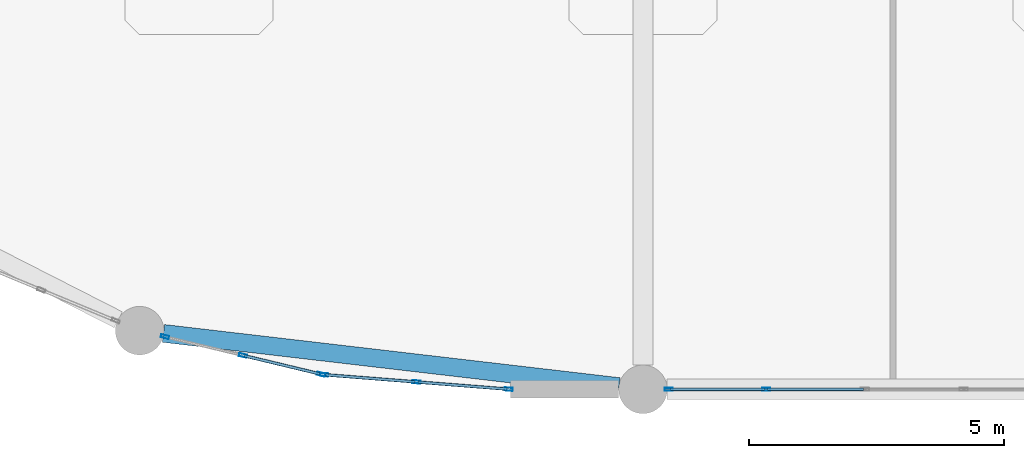
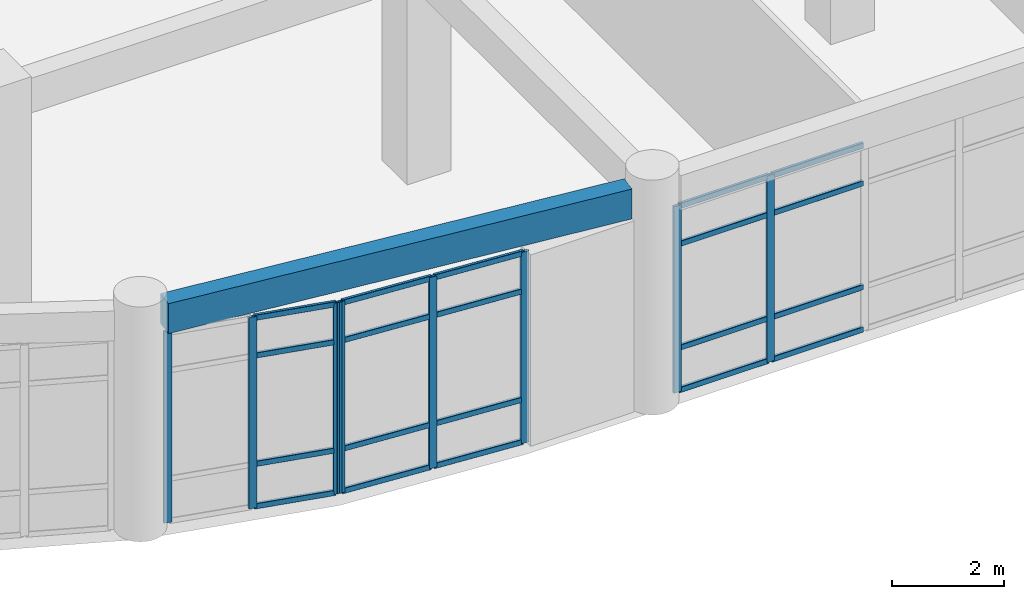
# One storey, part 5 of 120: 28 members, 1 beam, 3 elements without a shape of their own.
"""IFC4 building model written with IfcOpenShell, lengths in metres."""

import ifcopenshell
import ifcopenshell.guid

model = None  # the IFC model being written
_history = None  # IfcOwnerHistory: only IFC2X3 demands one
_inside = {}  # id of a spatial element -> (the spatial element, [elements in it])
_under = {}  # id of a project, library or spatial element -> (it, [spatial elements below it])
_declared = {}  # id of a project -> (the project, [libraries it declares])
_typed = {}  # id of a type object -> (the type object, [elements of that type])
_made_of = {}  # id of a material, layer set ... -> (it, [elements and type objects made of it])


def new_model(schema):
    """Start an empty IFC model of exactly this schema.

    Asked for "IFC4X3", IfcOpenShell would pick the latest addendum, in which some entities
    have other attributes; the version numbers below select the first issue.
    IFC2X3 requires an IfcOwnerHistory on every rooted entity: one is made here for all.
    """
    global model, _history
    if schema == "IFC4X3":
        model = ifcopenshell.file(schema_version=(4, 3, 0, 0))
    else:
        model = ifcopenshell.file(schema=schema)
    _inside.clear()
    _under.clear()
    _declared.clear()
    _typed.clear()
    _made_of.clear()
    _history = None
    if model.schema == "IFC2X3":
        org = make("IfcOrganization", Name="unknown")
        user = make(
            "IfcPersonAndOrganization",
            ThePerson=make("IfcPerson", FamilyName="unknown"),
            TheOrganization=org,
        )
        app = make(
            "IfcApplication",
            ApplicationDeveloper=org,
            Version="unknown",
            ApplicationFullName="unknown",
            ApplicationIdentifier="unknown",
        )
        _history = make(
            "IfcOwnerHistory",
            OwningUser=user,
            OwningApplication=app,
            ChangeAction="ADDED",
            CreationDate=0,
        )
    return model


def make(cls, **values):
    """One entity of the class cls with the attributes given. An attribute that is None is left unset."""
    return model.create_entity(
        cls, **{name: value for name, value in values.items() if value is not None}
    )


def rooted(cls, **values):
    """An entity with a GlobalId (a new one), such as an element, a storey or a relation."""
    return make(cls, GlobalId=ifcopenshell.guid.new(), OwnerHistory=_history, **values)


def si_unit(unit_type, name, prefix=None):
    """IfcSIUnit, for example si_unit("LENGTHUNIT", "METRE", prefix="MILLI")."""
    return make("IfcSIUnit", UnitType=unit_type, Prefix=prefix, Name=name)


def derived_unit(unit_type, elements):
    """IfcDerivedUnit: a product of units, each with its exponent."""
    return make(
        "IfcDerivedUnit",
        Elements=[
            make("IfcDerivedUnitElement", Unit=unit, Exponent=power)
            for unit, power in elements
        ],
        UnitType=unit_type,
    )


def assignment(units):
    """IfcUnitAssignment: the units of a project."""
    return None if units is None else make("IfcUnitAssignment", Units=units)


def point(xyz):
    """IfcCartesianPoint."""
    return None if xyz is None else make("IfcCartesianPoint", Coordinates=xyz)


def direction(xyz):
    """IfcDirection."""
    return None if xyz is None else make("IfcDirection", DirectionRatios=xyz)


def frame(location, z_axis=None, x_axis=None):
    """IfcAxis2Placement3D, a coordinate frame: its origin and axes. An axis left out is left unset."""
    return make(
        "IfcAxis2Placement3D",
        Location=point(location),
        Axis=direction(z_axis),
        RefDirection=direction(x_axis),
    )


def frame_2d(location, x_axis=None):
    """IfcAxis2Placement2D, a coordinate frame in the plane: its origin and x axis."""
    return make(
        "IfcAxis2Placement2D", Location=point(location), RefDirection=direction(x_axis)
    )


def origin():
    """The frame at (0, 0, 0) with its axes left unset."""
    return frame((0.0, 0.0, 0.0))


def origin_2d():
    """The frame at (0, 0) in the plane with its x axis left unset."""
    return frame_2d((0.0, 0.0))


def place(relative_to, where):
    """IfcLocalPlacement: puts the frame where relative to a parent placement (None: the world)."""
    return make(
        "IfcLocalPlacement", PlacementRelTo=relative_to, RelativePlacement=where
    )


def context(
    kind, dimensions, precision=None, world=None, true_north=None, identifier=None
):
    """IfcGeometricRepresentationContext, for example the 3D "Model" context."""
    return make(
        "IfcGeometricRepresentationContext",
        ContextIdentifier=identifier,
        ContextType=kind,
        CoordinateSpaceDimension=dimensions,
        Precision=precision,
        WorldCoordinateSystem=world,
        TrueNorth=true_north,
    )


def subcontext(parent, identifier, kind, view, scale=None):
    """IfcGeometricRepresentationSubContext, for example "Body" below "Model"."""
    return make(
        "IfcGeometricRepresentationSubContext",
        ContextIdentifier=identifier,
        ContextType=kind,
        ParentContext=parent,
        TargetScale=scale,
        TargetView=view,
    )


def project(units=None, contexts=None):
    """IfcProject with its units and contexts."""
    return rooted(
        "IfcProject",
        Name="project",
        RepresentationContexts=contexts,
        UnitsInContext=assignment(units),
    )


def spatial(cls, under=None, at=None, **own):
    """A site, building, storey or space (cls), placed at a placement, below another one or the project."""
    s = rooted(cls, ObjectPlacement=at, **own)
    if under is not None:
        _under.setdefault(under.id(), (under, []))[1].append(s)
    return s


def profile(cls, at=None, kind="AREA", **sizes):
    """A parametric profile (cls). Its sizes go by their IFC names, for example OverallWidth=200.0."""
    return make(cls, ProfileType=kind, Position=at, **sizes)


def rectangle(**sizes):
    """IfcRectangleProfileDef."""
    return profile("IfcRectangleProfileDef", **sizes)


def hollow_rectangle(**sizes):
    """IfcRectangleHollowProfileDef."""
    return profile("IfcRectangleHollowProfileDef", **sizes)


def extrude(swept, where, along, depth):
    """IfcExtrudedAreaSolid: the profile swept, set in the frame where, extruded along a direction by depth."""
    return make(
        "IfcExtrudedAreaSolid",
        SweptArea=swept,
        Position=where,
        ExtrudedDirection=direction(along),
        Depth=depth,
    )


def shape(context_of_items, identifier, shape_type, items):
    """IfcShapeRepresentation: the items that make up one representation, for example the "Body"."""
    return make(
        "IfcShapeRepresentation",
        ContextOfItems=context_of_items,
        RepresentationIdentifier=identifier,
        RepresentationType=shape_type,
        Items=items,
    )


def material(Name=None, Category=None):
    """IfcMaterial."""
    return make("IfcMaterial", Name=Name, Category=Category)


def layer(
    of_material, thickness, ventilated=None, Name=None, Category=None, Priority=None
):
    """IfcMaterialLayer: one layer of a wall or slab, of a material (None: an air gap)."""
    return make(
        "IfcMaterialLayer",
        Material=of_material,
        LayerThickness=thickness,
        IsVentilated=ventilated,
        Name=Name,
        Category=Category,
        Priority=Priority,
    )


def layer_set(layers, Name=None):
    """IfcMaterialLayerSet."""
    return make("IfcMaterialLayerSet", MaterialLayers=layers, LayerSetName=Name)


def material_profile(
    of_material, cross_section, Name=None, Category=None, Priority=None
):
    """IfcMaterialProfile: a cross section and its material."""
    return make(
        "IfcMaterialProfile",
        Name=Name,
        Material=of_material,
        Profile=cross_section,
        Priority=Priority,
        Category=Category,
    )


def profile_set(profiles, Name=None, composite=None):
    """IfcMaterialProfileSet."""
    return make(
        "IfcMaterialProfileSet",
        Name=Name,
        MaterialProfiles=profiles,
        CompositeProfile=composite,
    )


def made_of(thing, what):
    """Note that an element or type object is made of a material, layer set ...; save() writes the relation."""
    if what is not None:
        _made_of.setdefault(what.id(), (what, []))[1].append(thing)
    return thing


def type_object(cls, material=None, **own):
    """A type object (cls), such as IfcWallType, which elements share."""
    return made_of(rooted(cls, **own), material)


def element(
    cls,
    number,
    at=None,
    inside=None,
    cuts=None,
    type_object=None,
    material=None,
    context=None,
    identifier="Body",
    shape_type=None,
    held_by="IfcProductDefinitionShape",
    body=None,
    shapes=None,
    **own,
):
    """One element of the class cls, such as IfcWall. Its Tag is "e" and its number.

    at: its placement. inside: the storey or other place that contains it. cuts: it is an
    opening in that element (IfcRelVoidsElement). A single representation is given by context,
    identifier, shape_type and body (its items); several are given by shapes. held_by: the class
    of the entity that holds the representations. save() writes the other relations.
    """
    e = rooted(cls, Tag="e%d" % number, ObjectPlacement=at, **own)
    if body is not None:
        shapes = [shape(context, identifier, shape_type, body)]
    if shapes is not None:
        e.Representation = make(held_by, Representations=shapes)
    if inside is not None:
        _inside.setdefault(inside.id(), (inside, []))[1].append(e)
    if cuts is not None:
        rooted(
            "IfcRelVoidsElement", RelatingBuildingElement=cuts, RelatedOpeningElement=e
        )
    if type_object is not None:
        _typed.setdefault(type_object.id(), (type_object, []))[1].append(e)
    return made_of(e, material)


def aggregate(whole, parts):
    """IfcRelAggregates: a whole, such as a stair, and the parts it consists of."""
    return rooted("IfcRelAggregates", RelatingObject=whole, RelatedObjects=parts)


def save(model, path):
    """Write the relations noted so far, then the file.

    IfcRelAggregates (storeys below a building ...), IfcRelContainedInSpatialStructure (elements
    in a storey), IfcRelDefinesByType, IfcRelAssociatesMaterial and IfcRelDeclares: one each for
    every whole, place, type object, material and project.
    """
    for whole, parts in _under.values():
        aggregate(whole, parts)
    for where, things in _inside.values():
        rooted(
            "IfcRelContainedInSpatialStructure",
            RelatedElements=things,
            RelatingStructure=where,
        )
    for kind, things in _typed.values():
        rooted("IfcRelDefinesByType", RelatedObjects=things, RelatingType=kind)
    for what, things in _made_of.values():
        rooted("IfcRelAssociatesMaterial", RelatedObjects=things, RelatingMaterial=what)
    for by, libraries in _declared.values():
        rooted("IfcRelDeclares", RelatingContext=by, RelatedDefinitions=libraries)
    model.write(path)


model = new_model("IFC4")

# Units and contexts
model_context = context("Model", 3, precision=1e-05, world=origin(), true_north=direction((0.0, 1.0)))
body_context = subcontext(model_context, "Body", "Model", "MODEL_VIEW")
ifc_project = project(units=[si_unit("LENGTHUNIT", "METRE"), si_unit("AREAUNIT", "SQUARE_METRE"), si_unit("VOLUMEUNIT", "CUBIC_METRE"), si_unit("PLANEANGLEUNIT", "RADIAN"), si_unit("MASSUNIT", "GRAM", prefix="KILO"), derived_unit("THERMALTRANSMITTANCEUNIT", [(si_unit("MASSUNIT", "GRAM", prefix="KILO"), 1), (si_unit("TIMEUNIT", "SECOND"), -3), (si_unit("THERMODYNAMICTEMPERATUREUNIT", "KELVIN"), -1)])], contexts=[model_context])

# Site, building, storey
site_placement = place(None, origin())
site = spatial("IfcSite", under=ifc_project, at=site_placement, CompositionType="ELEMENT")
building_placement = place(site_placement, origin())
building = spatial("IfcBuilding", under=site, at=building_placement, Name="Qinzheling Arcade Emporium", CompositionType="ELEMENT")
storey_placement = place(building_placement, frame((0.0, 0.0, 11.39990234375)))
storey = spatial("IfcBuildingStorey", under=building, at=storey_placement, Name="L03", CompositionType="ELEMENT", Elevation=11.39990234375)

# Curtain wall, members
ifc_material_1 = material(Name="Anodised aluminium and solar-control double glazing", Category="aluminium")
ifc_layer_1 = layer(ifc_material_1, 0.159912109375, Name="Anodised aluminium and solar-control double glazing", Category="aluminium")
ifc_layer_set_1 = layer_set([ifc_layer_1], Name="Anodised aluminium and solar-control double glazing")
curtain_wall_type_1 = type_object("IfcCurtainWallType", Name="Arcade Portal Glazed Curtain Wall", PredefinedType="NOTDEFINED", material=ifc_layer_set_1)
curtain_wall_1_placement = place(storey_placement, origin())
curtain_wall_1 = element("IfcCurtainWall", 1, at=curtain_wall_1_placement, inside=storey, type_object=curtain_wall_type_1, Name="Curtain Wall CW-L03-152", PredefinedType="NOTDEFINED")
ifc_material_2 = material(Name="Anodised aluminium 6063-T6", Category="aluminium")
ifc_material_profile_1 = material_profile(ifc_material_2, hollow_rectangle(XDim=0.06005859375, YDim=0.159912109375, WallThickness=0.00390625, InnerFilletRadius=0.00390625, OuterFilletRadius=0.008056640625, at=origin_2d()), Name="RHS 160x60x4", Category="aluminium")
ifc_profile_set_1 = profile_set([ifc_material_profile_1], Name="Anodised aluminium 6063-T6")
member_type_1 = type_object("IfcMemberType", Name="Curtain Wall Mullion RHS160x60", PredefinedType="MULLION", material=ifc_profile_set_1)
member_1_placement = place(storey_placement, frame((28.513427734375, 0.0, 0.0), z_axis=(0.0, 0.0, 1.0), x_axis=(0.0, -1.0, 0.0)))
member_1 = element("IfcMember", 2, at=member_1_placement, type_object=member_type_1, Name="CW05 mullion 4", PredefinedType="MULLION", context=body_context, shape_type="SweptSolid", body=[
    extrude(hollow_rectangle(XDim=0.06005859375, YDim=0.159912109375, WallThickness=0.00390625, InnerFilletRadius=0.00390625, OuterFilletRadius=0.008056640625, at=origin_2d()), origin(), (0.0, 0.0, 1.0), 4.05517578125),
])
member_2_placement = place(storey_placement, frame((26.60693359375, 0.0, 0.0), z_axis=(0.0, 0.0, 1.0), x_axis=(0.0, -1.0, 0.0)))
member_2 = element("IfcMember", 3, at=member_2_placement, type_object=member_type_1, Name="CW05 mullion 5", PredefinedType="MULLION", context=body_context, shape_type="SweptSolid", body=[
    extrude(hollow_rectangle(XDim=0.06005859375, YDim=0.159912109375, WallThickness=0.00390625, InnerFilletRadius=0.00390625, OuterFilletRadius=0.008056640625, at=origin_2d()), origin(), (0.0, 0.0, 1.0), 4.05517578125),
])

ifc_layer_2 = layer(ifc_material_1, 0.159912109375, Name="Anodised aluminium and solar-control double glazing", Category="aluminium")
ifc_layer_set_2 = layer_set([ifc_layer_2], Name="Anodised aluminium and solar-control double glazing")
curtain_wall_type_2 = type_object("IfcCurtainWallType", Name="Curved Ribbon Sales Curtain Wall", PredefinedType="NOTDEFINED", material=ifc_layer_set_2)
curtain_wall_2_placement = place(storey_placement, origin())
curtain_wall_2 = element("IfcCurtainWall", 4, at=curtain_wall_2_placement, inside=storey, type_object=curtain_wall_type_2, Name="Curtain Wall CW-L03-153", PredefinedType="NOTDEFINED")
member_3_placement = place(storey_placement, frame((23.469970703125, 0.00244140625, 0.0), z_axis=(0.0, 0.0, 1.0), x_axis=(-0.078376222365, -0.996923852542, 0.0)))
member_3 = element("IfcMember", 5, at=member_3_placement, type_object=member_type_1, Name="CW02 mullion 1", PredefinedType="MULLION", context=body_context, shape_type="SweptSolid", body=[
    extrude(hollow_rectangle(XDim=0.06005859375, YDim=0.159912109375, WallThickness=0.00390625, InnerFilletRadius=0.00390625, OuterFilletRadius=0.008056640625, at=origin_2d()), origin(), (0.0, 0.0, 1.0), 4.155029296875),
])
member_4_placement = place(storey_placement, frame((21.662109375, 0.14453125, 0.0), z_axis=(0.0, 0.0, 1.0), x_axis=(-0.078376222365, -0.996923852542, 0.0)))
member_4 = element("IfcMember", 6, at=member_4_placement, type_object=member_type_1, Name="CW02 mullion 2", PredefinedType="MULLION", context=body_context, shape_type="SweptSolid", body=[
    extrude(hollow_rectangle(XDim=0.06005859375, YDim=0.159912109375, WallThickness=0.00390625, InnerFilletRadius=0.00390625, OuterFilletRadius=0.008056640625, at=origin_2d()), origin(), (0.0, 0.0, 1.0), 4.155029296875),
])
member_5_placement = place(storey_placement, frame((19.85400390625, 0.28662109375, 0.0), z_axis=(0.0, 0.0, 1.0), x_axis=(-0.078376222365, -0.996923852542, 0.0)))
member_5 = element("IfcMember", 7, at=member_5_placement, type_object=member_type_1, Name="CW02 mullion 3", PredefinedType="MULLION", context=body_context, shape_type="SweptSolid", body=[
    extrude(hollow_rectangle(XDim=0.06005859375, YDim=0.159912109375, WallThickness=0.00390625, InnerFilletRadius=0.00390625, OuterFilletRadius=0.008056640625, at=origin_2d()), origin(), (0.0, 0.0, 1.0), 4.155029296875),
])

curtain_wall_3_placement = place(storey_placement, origin())
curtain_wall_3 = element("IfcCurtainWall", 8, at=curtain_wall_3_placement, inside=storey, type_object=curtain_wall_type_2, Name="Curtain Wall CW-L03-154", PredefinedType="NOTDEFINED")
member_6_placement = place(storey_placement, frame((19.794921875, 0.2958984375, 0.0), z_axis=(0.0, 0.0, 1.0), x_axis=(-0.233584975646, -0.972336391972, 0.0)))
member_6 = element("IfcMember", 9, at=member_6_placement, type_object=member_type_1, Name="CW02 mullion 1", PredefinedType="MULLION", context=body_context, shape_type="SweptSolid", body=[
    extrude(hollow_rectangle(XDim=0.06005859375, YDim=0.159912109375, WallThickness=0.00390625, InnerFilletRadius=0.00390625, OuterFilletRadius=0.008056640625, at=origin_2d()), origin(), (0.0, 0.0, 1.0), 4.155029296875),
])
member_7_placement = place(storey_placement, frame((18.262939453125, 0.6640625, 0.0), z_axis=(0.0, 0.0, 1.0), x_axis=(-0.233584975646, -0.972336391972, 0.0)))
member_7 = element("IfcMember", 10, at=member_7_placement, type_object=member_type_1, Name="CW02 mullion 2", PredefinedType="MULLION", context=body_context, shape_type="SweptSolid", body=[
    extrude(hollow_rectangle(XDim=0.06005859375, YDim=0.159912109375, WallThickness=0.00390625, InnerFilletRadius=0.00390625, OuterFilletRadius=0.008056640625, at=origin_2d()), origin(), (0.0, 0.0, 1.0), 4.155029296875),
])
member_8_placement = place(storey_placement, frame((16.731201171875, 1.031982421875, 0.0), z_axis=(0.0, 0.0, 1.0), x_axis=(-0.233584975646, -0.972336391972, 0.0)))
member_8 = element("IfcMember", 11, at=member_8_placement, type_object=member_type_1, Name="CW02 mullion 3", PredefinedType="MULLION", context=body_context, shape_type="SweptSolid", body=[
    extrude(hollow_rectangle(XDim=0.06005859375, YDim=0.159912109375, WallThickness=0.00390625, InnerFilletRadius=0.00390625, OuterFilletRadius=0.008056640625, at=origin_2d()), origin(), (0.0, 0.0, 1.0), 4.155029296875),
])

# Member
ifc_material_profile_2 = material_profile(ifc_material_2, hollow_rectangle(XDim=0.06005859375, YDim=0.1201171875, WallThickness=0.00390625, InnerFilletRadius=0.00390625, OuterFilletRadius=0.008056640625, at=origin_2d()), Name="RHS 120x60x4", Category="aluminium")
ifc_profile_set_2 = profile_set([ifc_material_profile_2], Name="Anodised aluminium 6063-T6")
member_type_2 = type_object("IfcMemberType", Name="Curtain Wall Transom RHS120x60", PredefinedType="USERDEFINED", material=ifc_profile_set_2)
member_9_placement = place(storey_placement, frame((30.419921875, 0.0, 0.030029296875), z_axis=(-1.0, 0.0, 0.0), x_axis=(0.0, -1.0, 0.0)))
member_9 = element("IfcMember", 12, at=member_9_placement, type_object=member_type_2, Name="CW05 transom 3.1", ObjectType="TRANSOM", PredefinedType="USERDEFINED", context=body_context, shape_type="SweptSolid", body=[
    extrude(hollow_rectangle(XDim=0.06005859375, YDim=0.1201171875, WallThickness=0.00390625, InnerFilletRadius=0.00390625, OuterFilletRadius=0.008056640625, at=origin_2d()), origin(), (0.0, 0.0, 1.0), 1.87646484375),
])

member_10_placement = place(storey_placement, frame((30.419921875, 0.0, 0.9501953125), z_axis=(-1.0, 0.0, 0.0), x_axis=(0.0, -1.0, 0.0)))
member_10 = element("IfcMember", 13, at=member_10_placement, type_object=member_type_2, Name="CW05 transom 3.2", ObjectType="TRANSOM", PredefinedType="USERDEFINED", context=body_context, shape_type="SweptSolid", body=[
    extrude(hollow_rectangle(XDim=0.06005859375, YDim=0.1201171875, WallThickness=0.00390625, InnerFilletRadius=0.00390625, OuterFilletRadius=0.008056640625, at=origin_2d()), origin(), (0.0, 0.0, 1.0), 1.87646484375),
])

member_11_placement = place(storey_placement, frame((30.419921875, 0.0, 3.205078125), z_axis=(-1.0, 0.0, 0.0), x_axis=(0.0, -1.0, 0.0)))
member_11 = element("IfcMember", 14, at=member_11_placement, type_object=member_type_2, Name="CW05 transom 3.3", ObjectType="TRANSOM", PredefinedType="USERDEFINED", context=body_context, shape_type="SweptSolid", body=[
    extrude(hollow_rectangle(XDim=0.06005859375, YDim=0.1201171875, WallThickness=0.00390625, InnerFilletRadius=0.00390625, OuterFilletRadius=0.008056640625, at=origin_2d()), origin(), (0.0, 0.0, 1.0), 1.87646484375),
])

member_12_placement = place(storey_placement, frame((30.419921875, 0.0, 4.025146484375), z_axis=(-1.0, 0.0, 0.0), x_axis=(0.0, -1.0, 0.0)))
member_12 = element("IfcMember", 15, at=member_12_placement, type_object=member_type_2, Name="CW05 transom 3.4", ObjectType="TRANSOM", PredefinedType="USERDEFINED", context=body_context, shape_type="SweptSolid", body=[
    extrude(hollow_rectangle(XDim=0.06005859375, YDim=0.1201171875, WallThickness=0.00390625, InnerFilletRadius=0.00390625, OuterFilletRadius=0.008056640625, at=origin_2d()), origin(), (0.0, 0.0, 1.0), 1.87646484375),
])

member_13_placement = place(storey_placement, frame((28.4833984375, 0.0, 0.030029296875), z_axis=(-1.0, 0.0, 0.0), x_axis=(0.0, -1.0, 0.0)))
member_13 = element("IfcMember", 16, at=member_13_placement, type_object=member_type_2, Name="CW05 transom 4.1", ObjectType="TRANSOM", PredefinedType="USERDEFINED", context=body_context, shape_type="SweptSolid", body=[
    extrude(hollow_rectangle(XDim=0.06005859375, YDim=0.1201171875, WallThickness=0.00390625, InnerFilletRadius=0.00390625, OuterFilletRadius=0.008056640625, at=origin_2d()), origin(), (0.0, 0.0, 1.0), 1.846435546875),
])

member_14_placement = place(storey_placement, frame((28.4833984375, 0.0, 0.9501953125), z_axis=(-1.0, 0.0, 0.0), x_axis=(0.0, -1.0, 0.0)))
member_14 = element("IfcMember", 17, at=member_14_placement, type_object=member_type_2, Name="CW05 transom 4.2", ObjectType="TRANSOM", PredefinedType="USERDEFINED", context=body_context, shape_type="SweptSolid", body=[
    extrude(hollow_rectangle(XDim=0.06005859375, YDim=0.1201171875, WallThickness=0.00390625, InnerFilletRadius=0.00390625, OuterFilletRadius=0.008056640625, at=origin_2d()), origin(), (0.0, 0.0, 1.0), 1.846435546875),
])

member_15_placement = place(storey_placement, frame((28.4833984375, 0.0, 3.205078125), z_axis=(-1.0, 0.0, 0.0), x_axis=(0.0, -1.0, 0.0)))
member_15 = element("IfcMember", 18, at=member_15_placement, type_object=member_type_2, Name="CW05 transom 4.3", ObjectType="TRANSOM", PredefinedType="USERDEFINED", context=body_context, shape_type="SweptSolid", body=[
    extrude(hollow_rectangle(XDim=0.06005859375, YDim=0.1201171875, WallThickness=0.00390625, InnerFilletRadius=0.00390625, OuterFilletRadius=0.008056640625, at=origin_2d()), origin(), (0.0, 0.0, 1.0), 1.846435546875),
])

member_16_placement = place(storey_placement, frame((28.4833984375, 0.0, 4.025146484375), z_axis=(-1.0, 0.0, 0.0), x_axis=(0.0, -1.0, 0.0)))
member_16 = element("IfcMember", 19, at=member_16_placement, type_object=member_type_2, Name="CW05 transom 4.4", ObjectType="TRANSOM", PredefinedType="USERDEFINED", context=body_context, shape_type="SweptSolid", body=[
    extrude(hollow_rectangle(XDim=0.06005859375, YDim=0.1201171875, WallThickness=0.00390625, InnerFilletRadius=0.00390625, OuterFilletRadius=0.008056640625, at=origin_2d()), origin(), (0.0, 0.0, 1.0), 1.846435546875),
])

aggregate(curtain_wall_1, [member_1, member_2, member_9, member_10, member_11, member_12, member_13, member_14, member_15, member_16])

member_17_placement = place(storey_placement, frame((23.440185546875, 0.004638671875, 0.030029296875), z_axis=(-0.996923677954, 0.078378443051, 0.0), x_axis=(-0.078378443051, -0.996923677954, 0.0)))
member_17 = element("IfcMember", 20, at=member_17_placement, type_object=member_type_2, Name="CW02 transom 1.1", ObjectType="TRANSOM", PredefinedType="USERDEFINED", context=body_context, shape_type="SweptSolid", body=[
    extrude(hollow_rectangle(XDim=0.06005859375, YDim=0.1201171875, WallThickness=0.00390625, InnerFilletRadius=0.00390625, OuterFilletRadius=0.008056640625, at=origin_2d()), origin(), (0.0, 0.0, 1.0), 1.753662109375),
])

member_18_placement = place(storey_placement, frame((23.440185546875, 0.004638671875, 0.9501953125), z_axis=(-0.996923677954, 0.078378443051, 0.0), x_axis=(-0.078378443051, -0.996923677954, 0.0)))
member_18 = element("IfcMember", 21, at=member_18_placement, type_object=member_type_2, Name="CW02 transom 1.2", ObjectType="TRANSOM", PredefinedType="USERDEFINED", context=body_context, shape_type="SweptSolid", body=[
    extrude(hollow_rectangle(XDim=0.06005859375, YDim=0.1201171875, WallThickness=0.00390625, InnerFilletRadius=0.00390625, OuterFilletRadius=0.008056640625, at=origin_2d()), origin(), (0.0, 0.0, 1.0), 1.753662109375),
])

member_19_placement = place(storey_placement, frame((23.440185546875, 0.004638671875, 3.30517578125), z_axis=(-0.996923677954, 0.078378443051, 0.0), x_axis=(-0.078378443051, -0.996923677954, 0.0)))
member_19 = element("IfcMember", 22, at=member_19_placement, type_object=member_type_2, Name="CW02 transom 1.3", ObjectType="TRANSOM", PredefinedType="USERDEFINED", context=body_context, shape_type="SweptSolid", body=[
    extrude(hollow_rectangle(XDim=0.06005859375, YDim=0.1201171875, WallThickness=0.00390625, InnerFilletRadius=0.00390625, OuterFilletRadius=0.008056640625, at=origin_2d()), origin(), (0.0, 0.0, 1.0), 1.753662109375),
])

member_20_placement = place(storey_placement, frame((23.440185546875, 0.004638671875, 4.125), z_axis=(-0.996923677954, 0.078378443051, 0.0), x_axis=(-0.078378443051, -0.996923677954, 0.0)))
member_20 = element("IfcMember", 23, at=member_20_placement, type_object=member_type_2, Name="CW02 transom 1.4", ObjectType="TRANSOM", PredefinedType="USERDEFINED", context=body_context, shape_type="SweptSolid", body=[
    extrude(hollow_rectangle(XDim=0.06005859375, YDim=0.1201171875, WallThickness=0.00390625, InnerFilletRadius=0.00390625, OuterFilletRadius=0.008056640625, at=origin_2d()), origin(), (0.0, 0.0, 1.0), 1.753662109375),
])

member_21_placement = place(storey_placement, frame((21.632080078125, 0.14697265625, 0.030029296875), z_axis=(-0.996934546414, 0.078240080308, 0.0), x_axis=(-0.078240080308, -0.996934546414, 0.0)))
member_21 = element("IfcMember", 24, at=member_21_placement, type_object=member_type_2, Name="CW02 transom 2.1", ObjectType="TRANSOM", PredefinedType="USERDEFINED", context=body_context, shape_type="SweptSolid", body=[
    extrude(hollow_rectangle(XDim=0.06005859375, YDim=0.1201171875, WallThickness=0.00390625, InnerFilletRadius=0.00390625, OuterFilletRadius=0.008056640625, at=origin_2d()), origin(), (0.0, 0.0, 1.0), 1.753662109375),
])

member_22_placement = place(storey_placement, frame((21.632080078125, 0.14697265625, 0.9501953125), z_axis=(-0.996934546414, 0.078240080308, 0.0), x_axis=(-0.078240080308, -0.996934546414, 0.0)))
member_22 = element("IfcMember", 25, at=member_22_placement, type_object=member_type_2, Name="CW02 transom 2.2", ObjectType="TRANSOM", PredefinedType="USERDEFINED", context=body_context, shape_type="SweptSolid", body=[
    extrude(hollow_rectangle(XDim=0.06005859375, YDim=0.1201171875, WallThickness=0.00390625, InnerFilletRadius=0.00390625, OuterFilletRadius=0.008056640625, at=origin_2d()), origin(), (0.0, 0.0, 1.0), 1.753662109375),
])

member_23_placement = place(storey_placement, frame((21.632080078125, 0.14697265625, 3.30517578125), z_axis=(-0.996934546414, 0.078240080308, 0.0), x_axis=(-0.078240080308, -0.996934546414, 0.0)))
member_23 = element("IfcMember", 26, at=member_23_placement, type_object=member_type_2, Name="CW02 transom 2.3", ObjectType="TRANSOM", PredefinedType="USERDEFINED", context=body_context, shape_type="SweptSolid", body=[
    extrude(hollow_rectangle(XDim=0.06005859375, YDim=0.1201171875, WallThickness=0.00390625, InnerFilletRadius=0.00390625, OuterFilletRadius=0.008056640625, at=origin_2d()), origin(), (0.0, 0.0, 1.0), 1.753662109375),
])

member_24_placement = place(storey_placement, frame((21.632080078125, 0.14697265625, 4.125), z_axis=(-0.996934546414, 0.078240080308, 0.0), x_axis=(-0.078240080308, -0.996934546414, 0.0)))
member_24 = element("IfcMember", 27, at=member_24_placement, type_object=member_type_2, Name="CW02 transom 2.4", ObjectType="TRANSOM", PredefinedType="USERDEFINED", context=body_context, shape_type="SweptSolid", body=[
    extrude(hollow_rectangle(XDim=0.06005859375, YDim=0.1201171875, WallThickness=0.00390625, InnerFilletRadius=0.00390625, OuterFilletRadius=0.008056640625, at=origin_2d()), origin(), (0.0, 0.0, 1.0), 1.753662109375),
])

aggregate(curtain_wall_2, [member_3, member_4, member_5, member_17, member_18, member_19, member_20, member_21, member_22, member_23, member_24])

member_25_placement = place(storey_placement, frame((19.765625, 0.302978515625, 0.030029296875), z_axis=(-0.972328772808, 0.233616689407, 0.0), x_axis=(-0.233616689407, -0.972328772808, 0.0)))
member_25 = element("IfcMember", 28, at=member_25_placement, type_object=member_type_2, Name="CW02 transom 1.1", ObjectType="TRANSOM", PredefinedType="USERDEFINED", context=body_context, shape_type="SweptSolid", body=[
    extrude(hollow_rectangle(XDim=0.06005859375, YDim=0.1201171875, WallThickness=0.00390625, InnerFilletRadius=0.00390625, OuterFilletRadius=0.008056640625, at=origin_2d()), origin(), (0.0, 0.0, 1.0), 1.515380859375),
])

member_26_placement = place(storey_placement, frame((19.765625, 0.302978515625, 0.9501953125), z_axis=(-0.972328772808, 0.233616689407, 0.0), x_axis=(-0.233616689407, -0.972328772808, 0.0)))
member_26 = element("IfcMember", 29, at=member_26_placement, type_object=member_type_2, Name="CW02 transom 1.2", ObjectType="TRANSOM", PredefinedType="USERDEFINED", context=body_context, shape_type="SweptSolid", body=[
    extrude(hollow_rectangle(XDim=0.06005859375, YDim=0.1201171875, WallThickness=0.00390625, InnerFilletRadius=0.00390625, OuterFilletRadius=0.008056640625, at=origin_2d()), origin(), (0.0, 0.0, 1.0), 1.515380859375),
])

member_27_placement = place(storey_placement, frame((19.765625, 0.302978515625, 3.30517578125), z_axis=(-0.972328772808, 0.233616689407, 0.0), x_axis=(-0.233616689407, -0.972328772808, 0.0)))
member_27 = element("IfcMember", 30, at=member_27_placement, type_object=member_type_2, Name="CW02 transom 1.3", ObjectType="TRANSOM", PredefinedType="USERDEFINED", context=body_context, shape_type="SweptSolid", body=[
    extrude(hollow_rectangle(XDim=0.06005859375, YDim=0.1201171875, WallThickness=0.00390625, InnerFilletRadius=0.00390625, OuterFilletRadius=0.008056640625, at=origin_2d()), origin(), (0.0, 0.0, 1.0), 1.515380859375),
])

member_28_placement = place(storey_placement, frame((19.765625, 0.302978515625, 4.125), z_axis=(-0.972328772808, 0.233616689407, 0.0), x_axis=(-0.233616689407, -0.972328772808, 0.0)))
member_28 = element("IfcMember", 31, at=member_28_placement, type_object=member_type_2, Name="CW02 transom 1.4", ObjectType="TRANSOM", PredefinedType="USERDEFINED", context=body_context, shape_type="SweptSolid", body=[
    extrude(hollow_rectangle(XDim=0.06005859375, YDim=0.1201171875, WallThickness=0.00390625, InnerFilletRadius=0.00390625, OuterFilletRadius=0.008056640625, at=origin_2d()), origin(), (0.0, 0.0, 1.0), 1.515380859375),
])

aggregate(curtain_wall_3, [member_6, member_7, member_8, member_25, member_26, member_27, member_28])

# Beam
ifc_material_3 = material(Name="Concrete C40", Category="concrete")
ifc_material_profile_3 = material_profile(ifc_material_3, rectangle(XDim=0.35009765625, YDim=0.64990234375, at=origin_2d()), Name="RC 350x650", Category="concrete")
ifc_profile_set_3 = profile_set([ifc_material_profile_3], Name="Concrete C40")
beam_type = type_object("IfcBeamType", Name="RC Spandrel Edge Beam 350x650 C40", PredefinedType="SPANDREL", material=ifc_profile_set_3)
beam_placement = place(storey_placement, frame((16.705078125, 1.095947265625, 4.4951171875), z_axis=(0.99325808403, -0.115924020417, 0.0), x_axis=(0.115924020417, 0.99325808403, 0.0)))
element("IfcBeam", 32, at=beam_placement, inside=storey, type_object=beam_type, Name="Curved Arcade Spandrel BM-L03-CV1-B05", PredefinedType="SPANDREL", context=body_context, shape_type="SweptSolid", body=[
    extrude(rectangle(XDim=0.35009765625, YDim=0.64990234375, at=origin_2d()), origin(), (0.0, 0.0, 1.0), 8.988525390625),
])

save(model, "model.ifc")
